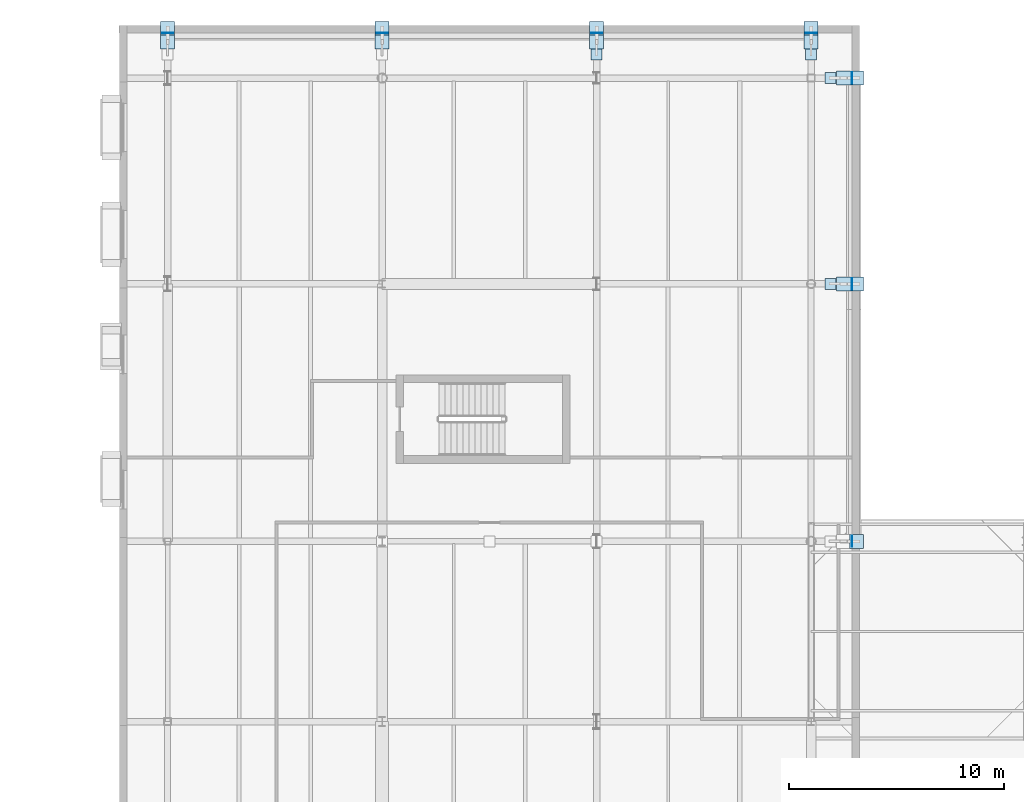
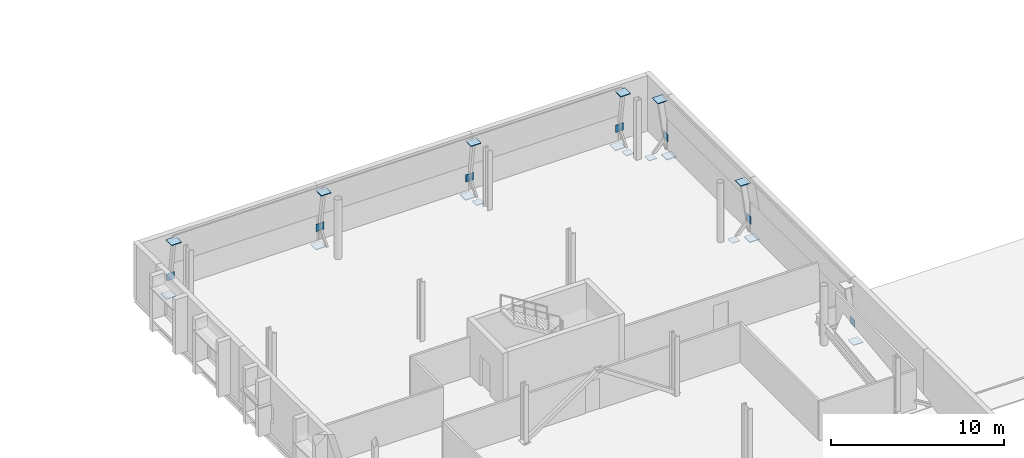
# One storey, part 58 of 90: 24 plates.
"""IFC4 building model written with IfcOpenShell, lengths in metres."""

from ifc_helpers import new_model, si_unit, direction, frame, origin, origin_2d, place, context, subcontext, project, spatial, rectangle, extrude, material, layer, layer_set, type_object, element, save


model = new_model("IFC4")

# Units and contexts
model_context = context("Model", 3, precision=1e-05, world=origin(), true_north=direction((0.0, 1.0)))
body_context = subcontext(model_context, "Body", "Model", "MODEL_VIEW")
ifc_project = project(units=[si_unit("LENGTHUNIT", "METRE"), si_unit("AREAUNIT", "SQUARE_METRE"), si_unit("VOLUMEUNIT", "CUBIC_METRE"), si_unit("PLANEANGLEUNIT", "RADIAN"), si_unit("MASSUNIT", "GRAM", prefix="KILO")], contexts=[model_context])

# Site, building, storey
site_placement = place(None, origin())
site = spatial("IfcSite", under=ifc_project, at=site_placement, CompositionType="ELEMENT")
building_placement = place(site_placement, origin())
building = spatial("IfcBuilding", under=site, at=building_placement, Name="Zereglee Splitstone Museum", CompositionType="ELEMENT")
storey_placement = place(building_placement, frame((0.0, 0.0, 4.800048828125)))
storey = spatial("IfcBuildingStorey", under=building, at=storey_placement, Name="L01", CompositionType="ELEMENT", Elevation=4.800048828125)

# Plates
ifc_material = material(Name="Steel S355J2", Category="steel")
ifc_layer_1 = layer(ifc_material, 0.030029296875)
ifc_layer_set_1 = layer_set([ifc_layer_1], Name="Steel S355J2")
plate_type_1 = type_object("IfcPlateType", Name="NP-04", PredefinedType="SHEET", material=ifc_layer_set_1)
for number, where, z_axis, x_axis, name in (
    (1, (175.199951171875, 62.092529296875, 0.639892578125), (0.0, 0.0, 1.0), (1.0, 0.0, 0.0), "Facet Tie Seal Plate FH-V4N"),
    (2, (185.199951171875, 62.092529296875, 0.639892578125), (0.0, 0.0, 1.0), (1.0, 0.0, 0.0), "Facet Tie Seal Plate FH-V4N"),
):
    element("IfcPlate", number, at=place(storey_placement, frame(where, z_axis=z_axis, x_axis=x_axis)), inside=storey, type_object=plate_type_1, Name=name, PredefinedType="SHEET", context=body_context, shape_type="SweptSolid", body=[
        extrude(rectangle(XDim=0.52001953125, YDim=0.030029296875, at=origin_2d()), origin(), (0.0, 0.0, 1.0), 0.52001953125),
    ])
plate_1_placement = place(storey_placement, frame((195.199951171875, 61.10009765625, -0.27490234375), z_axis=(0.0, 0.0, 1.0), x_axis=(1.0, 0.0, 0.0)))
element("IfcPlate", 3, at=plate_1_placement, inside=storey, type_object=plate_type_1, Name="Facet Tie Seal Plate FH-V4N", PredefinedType="SHEET", context=body_context, shape_type="SweptSolid", body=[
    extrude(rectangle(XDim=0.52001953125, YDim=0.52001953125, at=origin_2d()), origin(), (0.0, 0.0, 1.0), 0.030029296875),
])
plate_2_placement = place(storey_placement, frame((195.199951171875, 62.092529296875, 0.639892578125), z_axis=(0.0, 0.0, 1.0), x_axis=(1.0, 0.0, 0.0)))
element("IfcPlate", 4, at=plate_2_placement, inside=storey, type_object=plate_type_1, Name="Facet Tie Seal Plate FH-V4N", PredefinedType="SHEET", context=body_context, shape_type="SweptSolid", body=[
    extrude(rectangle(XDim=0.52001953125, YDim=0.030029296875, at=origin_2d()), origin(), (0.0, 0.0, 1.0), 0.52001953125),
])
plate_3_placement = place(storey_placement, frame((205.199951171875, 61.10009765625, -0.27490234375), z_axis=(0.0, 0.0, 1.0), x_axis=(1.0, 0.0, 0.0)))
element("IfcPlate", 5, at=plate_3_placement, inside=storey, type_object=plate_type_1, Name="Facet Tie Seal Plate FH-V4N", PredefinedType="SHEET", context=body_context, shape_type="SweptSolid", body=[
    extrude(rectangle(XDim=0.52001953125, YDim=0.52001953125, at=origin_2d()), origin(), (0.0, 0.0, 1.0), 0.030029296875),
])
plate_4_placement = place(storey_placement, frame((205.199951171875, 62.092529296875, 0.639892578125), z_axis=(0.0, 0.0, 1.0), x_axis=(1.0, 0.0, 0.0)))
element("IfcPlate", 6, at=plate_4_placement, inside=storey, type_object=plate_type_1, Name="Facet Tie Seal Plate FH-V4N", PredefinedType="SHEET", context=body_context, shape_type="SweptSolid", body=[
    extrude(rectangle(XDim=0.52001953125, YDim=0.030029296875, at=origin_2d()), origin(), (0.0, 0.0, 1.0), 0.52001953125),
])
plate_5_placement = place(storey_placement, frame((207.10107421875, 38.39990234375, 0.639892578125), z_axis=(0.0, 0.0, 1.0), x_axis=(1.0, 0.0, 0.0)))
element("IfcPlate", 7, at=plate_5_placement, inside=storey, type_object=plate_type_1, Name="Facet Tie Seal Plate FH-V4E", PredefinedType="SHEET", context=body_context, shape_type="SweptSolid", body=[
    extrude(rectangle(XDim=0.030029296875, YDim=0.52001953125, at=origin_2d()), origin(), (0.0, 0.0, 1.0), 0.52001953125),
])
plate_6_placement = place(storey_placement, frame((206.10009765625, 50.39990234375, -0.27490234375), z_axis=(0.0, 0.0, 1.0), x_axis=(1.0, 0.0, 0.0)))
element("IfcPlate", 8, at=plate_6_placement, inside=storey, type_object=plate_type_1, Name="Facet Tie Seal Plate FH-V4E", PredefinedType="SHEET", context=body_context, shape_type="SweptSolid", body=[
    extrude(rectangle(XDim=0.52001953125, YDim=0.52001953125, at=origin_2d()), origin(), (0.0, 0.0, 1.0), 0.030029296875),
])
plate_7_placement = place(storey_placement, frame((207.10107421875, 50.39990234375, 0.639892578125), z_axis=(0.0, 0.0, 1.0), x_axis=(1.0, 0.0, 0.0)))
element("IfcPlate", 9, at=plate_7_placement, inside=storey, type_object=plate_type_1, Name="Facet Tie Seal Plate FH-V4E", PredefinedType="SHEET", context=body_context, shape_type="SweptSolid", body=[
    extrude(rectangle(XDim=0.030029296875, YDim=0.52001953125, at=origin_2d()), origin(), (0.0, 0.0, 1.0), 0.52001953125),
])
plate_8_placement = place(storey_placement, frame((206.10009765625, 60.0, -0.27490234375), z_axis=(0.0, 0.0, 1.0), x_axis=(1.0, 0.0, 0.0)))
element("IfcPlate", 10, at=plate_8_placement, inside=storey, type_object=plate_type_1, Name="Facet Tie Seal Plate FH-V4E", PredefinedType="SHEET", context=body_context, shape_type="SweptSolid", body=[
    extrude(rectangle(XDim=0.52001953125, YDim=0.52001953125, at=origin_2d()), origin(), (0.0, 0.0, 1.0), 0.030029296875),
])
plate_9_placement = place(storey_placement, frame((207.10107421875, 60.0, 0.639892578125), z_axis=(0.0, 0.0, 1.0), x_axis=(1.0, 0.0, 0.0)))
element("IfcPlate", 11, at=plate_9_placement, inside=storey, type_object=plate_type_1, Name="Facet Tie Seal Plate FH-V4E", PredefinedType="SHEET", context=body_context, shape_type="SweptSolid", body=[
    extrude(rectangle(XDim=0.030029296875, YDim=0.52001953125, at=origin_2d()), origin(), (0.0, 0.0, 1.0), 0.52001953125),
])
ifc_layer_2 = layer(ifc_material, 0.050048828125)
ifc_layer_set_2 = layer_set([ifc_layer_2], Name="Steel S355J2")
plate_type_2 = type_object("IfcPlateType", Name="NP-02", PredefinedType="SHEET", material=ifc_layer_set_2)
for number, where, z_axis, x_axis, name in (
    (12, (175.199951171875, 62.31005859375, -0.5751953125), (0.0, 0.0, 1.0), (1.0, 0.0, 0.0), "Facet Strut Seal Plate FH-V4N"),
    (13, (175.199951171875, 61.68310546875, 3.60498046875), (0.0, 0.0, 1.0), (1.0, 0.0, 0.0), "Facet Strut Seal Plate FH-V4N"),
    (14, (185.199951171875, 62.31005859375, -0.5751953125), (0.0, 0.0, 1.0), (1.0, 0.0, 0.0), "Facet Strut Seal Plate FH-V4N"),
    (15, (185.199951171875, 61.68310546875, 3.60498046875), (0.0, 0.0, 1.0), (1.0, 0.0, 0.0), "Facet Strut Seal Plate FH-V4N"),
    (16, (195.199951171875, 62.31005859375, -0.5751953125), (0.0, 0.0, 1.0), (1.0, 0.0, 0.0), "Facet Strut Seal Plate FH-V4N"),
    (17, (195.199951171875, 61.68310546875, 3.60498046875), (0.0, 0.0, 1.0), (1.0, 0.0, 0.0), "Facet Strut Seal Plate FH-V4N"),
    (18, (205.199951171875, 62.31005859375, -0.5751953125), (0.0, 0.0, 1.0), (1.0, 0.0, 0.0), "Facet Strut Seal Plate FH-V4N"),
    (19, (205.199951171875, 61.68310546875, 3.60498046875), (0.0, 0.0, 1.0), (1.0, 0.0, 0.0), "Facet Strut Seal Plate FH-V4N"),
    (20, (207.306884765625, 38.39990234375, -0.5751953125), (0.0, 0.0, 1.0), (1.0, 0.0, 0.0), "Facet Strut Seal Plate FH-V4E"),
    (21, (207.306884765625, 50.39990234375, -0.5751953125), (0.0, 0.0, 1.0), (1.0, 0.0, 0.0), "Facet Strut Seal Plate FH-V4E"),
    (22, (206.71337890625, 50.39990234375, 3.60498046875), (0.0, 0.0, 1.0), (1.0, 0.0, 0.0), "Facet Strut Seal Plate FH-V4E"),
    (23, (207.306884765625, 60.0, -0.5751953125), (0.0, 0.0, 1.0), (1.0, 0.0, 0.0), "Facet Strut Seal Plate FH-V4E"),
    (24, (206.71337890625, 60.0, 3.60498046875), (0.0, 0.0, 1.0), (1.0, 0.0, 0.0), "Facet Strut Seal Plate FH-V4E"),
):
    element("IfcPlate", number, at=place(storey_placement, frame(where, z_axis=z_axis, x_axis=x_axis)), inside=storey, type_object=plate_type_2, Name=name, PredefinedType="SHEET", context=body_context, shape_type="SweptSolid", body=[
        extrude(rectangle(XDim=0.659912109375, YDim=0.659912109375, at=origin_2d()), origin(), (0.0, 0.0, 1.0), 0.050048828125),
    ])

save(model, "model.ifc")
